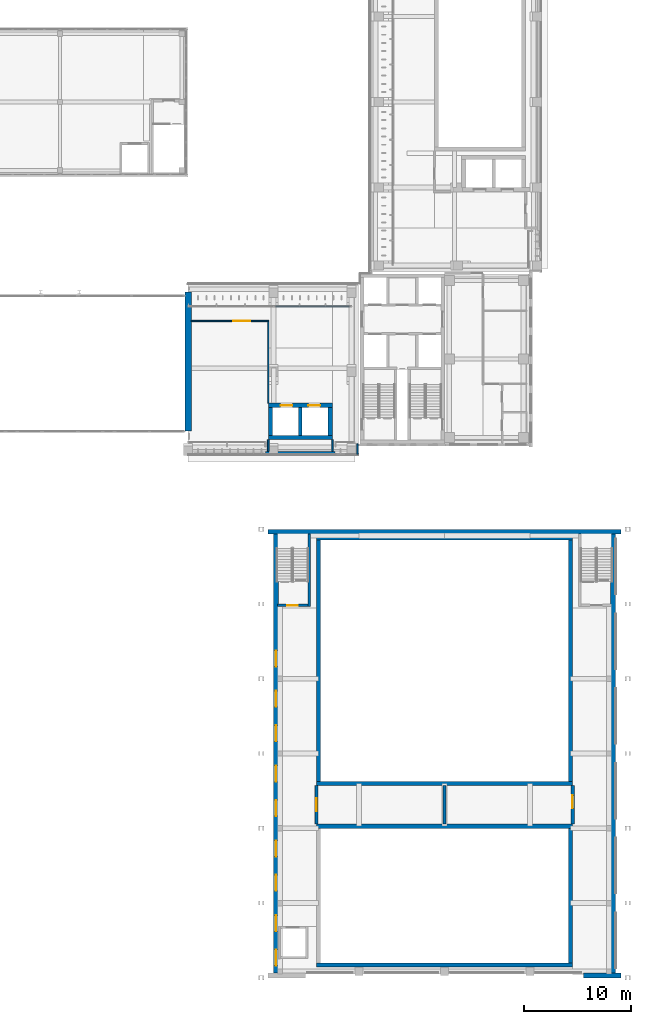
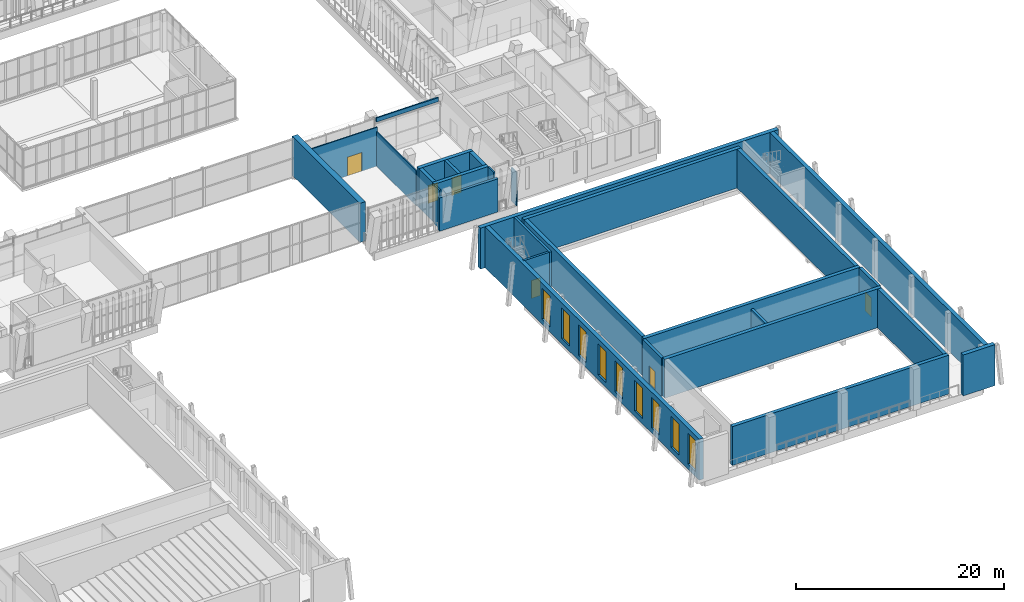
# One storey, part 61 of 92: 29 walls, 9 windows, 6 doors, 15 openings.
"""IFC4 building model written with IfcOpenShell, lengths in metres."""

from ifc_helpers import new_model, si_unit, direction, frame, frame_2d, origin, place, context, subcontext, project, spatial, rectangle, extrude, material, layer, layer_set, type_object, element, fill, save


model = new_model("IFC4")

# Units and contexts
model_context = context("Model", 3, precision=1e-05, world=origin(), true_north=direction((0.0, 1.0)))
body_context = subcontext(model_context, "Body", "Model", "MODEL_VIEW")
ifc_project = project(units=[si_unit("LENGTHUNIT", "METRE"), si_unit("AREAUNIT", "SQUARE_METRE"), si_unit("VOLUMEUNIT", "CUBIC_METRE"), si_unit("PLANEANGLEUNIT", "RADIAN"), si_unit("MASSUNIT", "GRAM", prefix="KILO")], contexts=[model_context])

# Site, building, storey
site_placement = place(None, origin())
site = spatial("IfcSite", under=ifc_project, at=site_placement, CompositionType="ELEMENT")
building_placement = place(site_placement, origin())
building = spatial("IfcBuilding", under=site, at=building_placement, Name="Lantern Court Media Centre", CompositionType="ELEMENT")
storey_placement = place(building_placement, frame((0.0, 0.0, 4.800048828125)))
storey = spatial("IfcBuildingStorey", under=building, at=storey_placement, Name="L01", CompositionType="ELEMENT", Elevation=4.800048828125)

# Wall
ifc_material_1 = material(Name="Gypsum board partition")
ifc_layer_1 = layer(ifc_material_1, 0.125)
ifc_layer_set_1 = layer_set([ifc_layer_1], Name="Gypsum board partition")
wall_type_1 = type_object("IfcWallType", Name="Corridor partition 125", PredefinedType="PARTITIONING", material=ifc_layer_set_1)
wall_1_placement = place(storey_placement, frame((71.5, 51.800048828125, 0.0), z_axis=(0.0, 0.0, 1.0), x_axis=(0.0, 1.0, 0.0)))
element("IfcWall", 1, at=wall_1_placement, inside=storey, type_object=wall_type_1, Name="L01 partition 007", PredefinedType="PARTITIONING", context=body_context, shape_type="SweptSolid", body=[
    extrude(rectangle(XDim=7.637451171875, YDim=0.125, at=frame_2d((3.81884765625, 0.0))), origin(), (0.0, 0.0, 1.0), 4.079833984375),
])

# Wall, opening, door
wall_2_placement = place(storey_placement, frame((64.304931640625, 59.5, 0.0), z_axis=(0.0, 0.0, 1.0), x_axis=(1.0, 0.0, 0.0)))
wall_2 = element("IfcWall", 2, at=wall_2_placement, inside=storey, type_object=wall_type_1, Name="L01 partition 009", PredefinedType="PARTITIONING", context=body_context, shape_type="SweptSolid", body=[
    extrude(rectangle(XDim=7.257568359375, YDim=0.125, at=frame_2d((3.62890625, 0.0))), origin(), (0.0, 0.0, 1.0), 4.56005859375),
])
opening_1_placement = place(wall_2_placement, frame((3.919921875, 0.0, 0.0)))
opening_1 = element("IfcOpeningElement", 3, at=opening_1_placement, cuts=wall_2, Name="Opening L01-002", PredefinedType="OPENING", context=body_context, shape_type="SweptSolid", body=[
    extrude(rectangle(XDim=1.60009765625, YDim=2.199951171875, at=frame_2d((0.800048828125, 1.10009765625))), frame((0.0, 0.072509765625, 0.0), z_axis=(0.0, -1.0, 0.0), x_axis=(1.0, 0.0, 0.0)), (0.0, 0.0, 1.0), 0.14501953125),
])
ifc_material_2 = material(Name="Solid-core timber door leaf", Category="wood")
door_type_1 = type_object("IfcDoorType", Name="Double door 1600x2200", OperationType="NOTDEFINED", PredefinedType="DOOR", material=ifc_material_2)
door_1_placement = place(opening_1_placement, frame((1.60009765625, 0.0, 0.0), z_axis=(0.0, 0.0, 1.0), x_axis=(-1.0, 0.0, 0.0)))
door_1 = element("IfcDoor", 4, at=door_1_placement, inside=storey, type_object=door_type_1, Name="L01 Exhibition Gallery door", OperationType="DOUBLE_DOOR_SINGLE_SWING", OverallHeight=2.199951171875, OverallWidth=1.60009765625, PredefinedType="DOOR", context=body_context, shape_type="SweptSolid", body=[
    extrude(rectangle(XDim=1.60009765625, YDim=2.199951171875, at=frame_2d((0.800048828125, 1.10009765625))), frame((0.0, 0.02490234375, 0.0), z_axis=(0.0, -1.0, 0.0), x_axis=(1.0, 0.0, 0.0)), (0.0, 0.0, 1.0), 0.050048828125),
])
fill(opening_1, door_1)

# Wall, openings, windows
ifc_material_3 = material(Name="Limestone masonry, insulated", Category="masonry")
ifc_layer_2 = layer(ifc_material_3, 0.449951171875)
ifc_layer_set_2 = layer_set([ifc_layer_2], Name="Limestone masonry, insulated")
wall_type_2 = type_object("IfcWallType", Name="Hall wall, stone-faced masonry 450", PredefinedType="SOLIDWALL", material=ifc_layer_set_2)
wall_3_placement = place(storey_placement, frame((72.22509765625, -1.550048828125, 0.0), z_axis=(0.0, 0.0, 1.0), x_axis=(0.0, 1.0, 0.0)))
wall_3 = element("IfcWall", 5, at=wall_3_placement, inside=storey, type_object=wall_type_2, Name="Studio Hall forecourt wall L01", PredefinedType="SOLIDWALL", context=body_context, shape_type="SweptSolid", body=[
    extrude(rectangle(XDim=41.10009765625, YDim=0.449951171875, at=frame_2d((20.550048828125, 0.0))), origin(), (0.0, 0.0, 1.0), 4.800048828125),
])
opening_2_placement = place(wall_3_placement, frame((0.68994140625, 0.0, 0.60009765625)))
opening_2 = element("IfcOpeningElement", 6, at=opening_2_placement, cuts=wall_3, Name="Opening HWN3", PredefinedType="OPENING", context=body_context, shape_type="SweptSolid", body=[
    extrude(rectangle(XDim=1.5, YDim=3.60009765625, at=frame_2d((0.75, 1.800048828125))), frame((0.0, 0.23486328125, 0.0), z_axis=(0.0, -1.0, 0.0), x_axis=(1.0, 0.0, 0.0)), (0.0, 0.0, 1.0), 0.469970703125),
])
opening_3_placement = place(wall_3_placement, frame((3.909912109375, 0.0, 0.60009765625)))
opening_3 = element("IfcOpeningElement", 7, at=opening_3_placement, cuts=wall_3, Name="Opening HWN3", PredefinedType="OPENING", context=body_context, shape_type="SweptSolid", body=[
    extrude(rectangle(XDim=1.5, YDim=3.60009765625, at=frame_2d((0.75, 1.800048828125))), frame((0.0, 0.23486328125, 0.0), z_axis=(0.0, -1.0, 0.0), x_axis=(1.0, 0.0, 0.0)), (0.0, 0.0, 1.0), 0.469970703125),
])
opening_4_placement = place(wall_3_placement, frame((7.68994140625, 0.0, 0.60009765625)))
opening_4 = element("IfcOpeningElement", 8, at=opening_4_placement, cuts=wall_3, Name="Opening HWN3", PredefinedType="OPENING", context=body_context, shape_type="SweptSolid", body=[
    extrude(rectangle(XDim=1.5, YDim=3.60009765625, at=frame_2d((0.75, 1.800048828125))), frame((0.0, 0.23486328125, 0.0), z_axis=(0.0, -1.0, 0.0), x_axis=(1.0, 0.0, 0.0)), (0.0, 0.0, 1.0), 0.469970703125),
])
opening_5_placement = place(wall_3_placement, frame((10.909912109375, 0.0, 0.60009765625)))
opening_5 = element("IfcOpeningElement", 9, at=opening_5_placement, cuts=wall_3, Name="Opening HWN3", PredefinedType="OPENING", context=body_context, shape_type="SweptSolid", body=[
    extrude(rectangle(XDim=1.5, YDim=3.60009765625, at=frame_2d((0.75, 1.800048828125))), frame((0.0, 0.23486328125, 0.0), z_axis=(0.0, -1.0, 0.0), x_axis=(1.0, 0.0, 0.0)), (0.0, 0.0, 1.0), 0.469970703125),
])
opening_6_placement = place(wall_3_placement, frame((14.68994140625, 0.0, 0.60009765625)))
opening_6 = element("IfcOpeningElement", 10, at=opening_6_placement, cuts=wall_3, Name="Opening HWN3", PredefinedType="OPENING", context=body_context, shape_type="SweptSolid", body=[
    extrude(rectangle(XDim=1.5, YDim=3.60009765625, at=frame_2d((0.75, 1.800048828125))), frame((0.0, 0.23486328125, 0.0), z_axis=(0.0, -1.0, 0.0), x_axis=(1.0, 0.0, 0.0)), (0.0, 0.0, 1.0), 0.469970703125),
])
opening_7_placement = place(wall_3_placement, frame((17.909912109375, 0.0, 0.60009765625)))
opening_7 = element("IfcOpeningElement", 11, at=opening_7_placement, cuts=wall_3, Name="Opening HWN3", PredefinedType="OPENING", context=body_context, shape_type="SweptSolid", body=[
    extrude(rectangle(XDim=1.5, YDim=3.60009765625, at=frame_2d((0.75, 1.800048828125))), frame((0.0, 0.23486328125, 0.0), z_axis=(0.0, -1.0, 0.0), x_axis=(1.0, 0.0, 0.0)), (0.0, 0.0, 1.0), 0.469970703125),
])
opening_8_placement = place(wall_3_placement, frame((21.68994140625, 0.0, 0.60009765625)))
opening_8 = element("IfcOpeningElement", 12, at=opening_8_placement, cuts=wall_3, Name="Opening HWN3", PredefinedType="OPENING", context=body_context, shape_type="SweptSolid", body=[
    extrude(rectangle(XDim=1.5, YDim=3.60009765625, at=frame_2d((0.75, 1.800048828125))), frame((0.0, 0.23486328125, 0.0), z_axis=(0.0, -1.0, 0.0), x_axis=(1.0, 0.0, 0.0)), (0.0, 0.0, 1.0), 0.469970703125),
])
opening_9_placement = place(wall_3_placement, frame((24.909912109375, 0.0, 0.60009765625)))
opening_9 = element("IfcOpeningElement", 13, at=opening_9_placement, cuts=wall_3, Name="Opening HWN3", PredefinedType="OPENING", context=body_context, shape_type="SweptSolid", body=[
    extrude(rectangle(XDim=1.5, YDim=3.60009765625, at=frame_2d((0.75, 1.800048828125))), frame((0.0, 0.23486328125, 0.0), z_axis=(0.0, -1.0, 0.0), x_axis=(1.0, 0.0, 0.0)), (0.0, 0.0, 1.0), 0.469970703125),
])
opening_10_placement = place(wall_3_placement, frame((28.68994140625, 0.0, 0.60009765625)))
opening_10 = element("IfcOpeningElement", 14, at=opening_10_placement, cuts=wall_3, Name="Opening HWN3", PredefinedType="OPENING", context=body_context, shape_type="SweptSolid", body=[
    extrude(rectangle(XDim=1.5, YDim=3.60009765625, at=frame_2d((0.75, 1.800048828125))), frame((0.0, 0.23486328125, 0.0), z_axis=(0.0, -1.0, 0.0), x_axis=(1.0, 0.0, 0.0)), (0.0, 0.0, 1.0), 0.469970703125),
])
ifc_material_4 = material(Name="Aluminium and acoustic laminated glass", Category="aluminium")
window_type = type_object("IfcWindowType", Name="Studio hall foyer window 1500 x 3600", PartitioningType="DOUBLE_PANEL_VERTICAL", PredefinedType="WINDOW", material=ifc_material_4)
window_1_placement = place(opening_2_placement, origin())
window_1 = element("IfcWindow", 15, at=window_1_placement, inside=storey, type_object=window_type, Name="Studio Hall foyer window 1", OverallHeight=3.60009765625, OverallWidth=1.5, PartitioningType="SINGLE_PANEL", PredefinedType="WINDOW", context=body_context, shape_type="SweptSolid", body=[
    extrude(rectangle(XDim=1.5, YDim=3.60009765625, at=frame_2d((0.75, 1.800048828125))), frame((0.0, 0.030029296875, 0.0), z_axis=(0.0, -1.0, 0.0), x_axis=(1.0, 0.0, 0.0)), (0.0, 0.0, 1.0), 0.06005859375),
])
fill(opening_2, window_1)
window_2_placement = place(opening_3_placement, origin())
window_2 = element("IfcWindow", 16, at=window_2_placement, inside=storey, type_object=window_type, Name="Studio Hall foyer window 1", OverallHeight=3.60009765625, OverallWidth=1.5, PartitioningType="SINGLE_PANEL", PredefinedType="WINDOW", context=body_context, shape_type="SweptSolid", body=[
    extrude(rectangle(XDim=1.5, YDim=3.60009765625, at=frame_2d((0.75, 1.800048828125))), frame((0.0, 0.030029296875, 0.0), z_axis=(0.0, -1.0, 0.0), x_axis=(1.0, 0.0, 0.0)), (0.0, 0.0, 1.0), 0.06005859375),
])
fill(opening_3, window_2)
window_3_placement = place(opening_4_placement, origin())
window_3 = element("IfcWindow", 17, at=window_3_placement, inside=storey, type_object=window_type, Name="Studio Hall foyer window 2", OverallHeight=3.60009765625, OverallWidth=1.5, PartitioningType="SINGLE_PANEL", PredefinedType="WINDOW", context=body_context, shape_type="SweptSolid", body=[
    extrude(rectangle(XDim=1.5, YDim=3.60009765625, at=frame_2d((0.75, 1.800048828125))), frame((0.0, 0.030029296875, 0.0), z_axis=(0.0, -1.0, 0.0), x_axis=(1.0, 0.0, 0.0)), (0.0, 0.0, 1.0), 0.06005859375),
])
fill(opening_4, window_3)
window_4_placement = place(opening_5_placement, origin())
window_4 = element("IfcWindow", 18, at=window_4_placement, inside=storey, type_object=window_type, Name="Studio Hall foyer window 2", OverallHeight=3.60009765625, OverallWidth=1.5, PartitioningType="SINGLE_PANEL", PredefinedType="WINDOW", context=body_context, shape_type="SweptSolid", body=[
    extrude(rectangle(XDim=1.5, YDim=3.60009765625, at=frame_2d((0.75, 1.800048828125))), frame((0.0, 0.030029296875, 0.0), z_axis=(0.0, -1.0, 0.0), x_axis=(1.0, 0.0, 0.0)), (0.0, 0.0, 1.0), 0.06005859375),
])
fill(opening_5, window_4)
window_5_placement = place(opening_6_placement, origin())
window_5 = element("IfcWindow", 19, at=window_5_placement, inside=storey, type_object=window_type, Name="Studio Hall foyer window 3", OverallHeight=3.60009765625, OverallWidth=1.5, PartitioningType="SINGLE_PANEL", PredefinedType="WINDOW", context=body_context, shape_type="SweptSolid", body=[
    extrude(rectangle(XDim=1.5, YDim=3.60009765625, at=frame_2d((0.75, 1.800048828125))), frame((0.0, 0.030029296875, 0.0), z_axis=(0.0, -1.0, 0.0), x_axis=(1.0, 0.0, 0.0)), (0.0, 0.0, 1.0), 0.06005859375),
])
fill(opening_6, window_5)
window_6_placement = place(opening_7_placement, origin())
window_6 = element("IfcWindow", 20, at=window_6_placement, inside=storey, type_object=window_type, Name="Studio Hall foyer window 3", OverallHeight=3.60009765625, OverallWidth=1.5, PartitioningType="SINGLE_PANEL", PredefinedType="WINDOW", context=body_context, shape_type="SweptSolid", body=[
    extrude(rectangle(XDim=1.5, YDim=3.60009765625, at=frame_2d((0.75, 1.800048828125))), frame((0.0, 0.030029296875, 0.0), z_axis=(0.0, -1.0, 0.0), x_axis=(1.0, 0.0, 0.0)), (0.0, 0.0, 1.0), 0.06005859375),
])
fill(opening_7, window_6)
window_7_placement = place(opening_8_placement, origin())
window_7 = element("IfcWindow", 21, at=window_7_placement, inside=storey, type_object=window_type, Name="Studio Hall foyer window 4", OverallHeight=3.60009765625, OverallWidth=1.5, PartitioningType="SINGLE_PANEL", PredefinedType="WINDOW", context=body_context, shape_type="SweptSolid", body=[
    extrude(rectangle(XDim=1.5, YDim=3.60009765625, at=frame_2d((0.75, 1.800048828125))), frame((0.0, 0.030029296875, 0.0), z_axis=(0.0, -1.0, 0.0), x_axis=(1.0, 0.0, 0.0)), (0.0, 0.0, 1.0), 0.06005859375),
])
fill(opening_8, window_7)
window_8_placement = place(opening_9_placement, origin())
window_8 = element("IfcWindow", 22, at=window_8_placement, inside=storey, type_object=window_type, Name="Studio Hall foyer window 4", OverallHeight=3.60009765625, OverallWidth=1.5, PartitioningType="SINGLE_PANEL", PredefinedType="WINDOW", context=body_context, shape_type="SweptSolid", body=[
    extrude(rectangle(XDim=1.5, YDim=3.60009765625, at=frame_2d((0.75, 1.800048828125))), frame((0.0, 0.030029296875, 0.0), z_axis=(0.0, -1.0, 0.0), x_axis=(1.0, 0.0, 0.0)), (0.0, 0.0, 1.0), 0.06005859375),
])
fill(opening_9, window_8)
window_9_placement = place(opening_10_placement, origin())
window_9 = element("IfcWindow", 23, at=window_9_placement, inside=storey, type_object=window_type, Name="Studio Hall foyer window 5", OverallHeight=3.60009765625, OverallWidth=1.5, PartitioningType="SINGLE_PANEL", PredefinedType="WINDOW", context=body_context, shape_type="SweptSolid", body=[
    extrude(rectangle(XDim=1.5, YDim=3.60009765625, at=frame_2d((0.75, 1.800048828125))), frame((0.0, 0.030029296875, 0.0), z_axis=(0.0, -1.0, 0.0), x_axis=(1.0, 0.0, 0.0)), (0.0, 0.0, 1.0), 0.06005859375),
])
fill(opening_10, window_9)

# Walls
wall_4_placement = place(storey_placement, frame((103.77490234375, -1.550048828125, 0.0), z_axis=(0.0, 0.0, 1.0), x_axis=(0.0, 1.0, 0.0)))
element("IfcWall", 24, at=wall_4_placement, inside=storey, type_object=wall_type_2, Name="Studio Hall street wall L01", PredefinedType="SOLIDWALL", context=body_context, shape_type="SweptSolid", body=[
    extrude(rectangle(XDim=41.10009765625, YDim=0.449951171875, at=frame_2d((20.550048828125, 0.0))), origin(), (0.0, 0.0, 1.0), 4.800048828125),
])
wall_5_placement = place(storey_placement, frame((101.0, -1.77490234375, 0.0), z_axis=(0.0, 0.0, 1.0), x_axis=(1.0, 0.0, 0.0)))
element("IfcWall", 25, at=wall_5_placement, inside=storey, type_object=wall_type_2, Name="Studio Hall south gable L01", PredefinedType="SOLIDWALL", context=body_context, shape_type="SweptSolid", body=[
    extrude(rectangle(XDim=3.527099609375, YDim=0.449951171875, at=frame_2d((1.763671875, 0.0))), origin(), (0.0, 0.0, 1.0), 4.800048828125),
])
wall_6_placement = place(storey_placement, frame((71.472900390625, 39.77490234375, 0.0), z_axis=(0.0, 0.0, 1.0), x_axis=(1.0, 0.0, 0.0)))
element("IfcWall", 26, at=wall_6_placement, inside=storey, type_object=wall_type_2, Name="Studio Hall north gable L01", PredefinedType="SOLIDWALL", context=body_context, shape_type="SweptSolid", body=[
    extrude(rectangle(XDim=33.05419921875, YDim=0.449951171875, at=frame_2d((16.527099609375, 0.0))), origin(), (0.0, 0.0, 1.0), 4.800048828125),
])
ifc_material_5 = material(Name="Insulated rendered blockwork", Category="masonry")
ifc_layer_3 = layer(ifc_material_5, 0.14990234375)
ifc_layer_set_3 = layer_set([ifc_layer_3], Name="Insulated rendered blockwork")
wall_type_3 = type_object("IfcWallType", Name="Head infill wall 150", PredefinedType="SOLIDWALL", material=ifc_layer_set_3)
wall_7_placement = place(storey_placement, frame((72.199951171875, 60.85009765625, 4.099853515625), z_axis=(0.0, 0.0, 1.0), x_axis=(1.0, 0.0, 0.0)))
element("IfcWall", 27, at=wall_7_placement, inside=storey, type_object=wall_type_3, Name="Head infill wall S inner L01", PredefinedType="SOLIDWALL", context=body_context, shape_type="SweptSolid", body=[
    extrude(rectangle(XDim=6.900146484375, YDim=0.14990234375, at=frame_2d((3.4501953125, 0.0))), origin(), (0.0, 0.0, 1.0), 0.47998046875),
])
ifc_material_6 = material(Name="Honed limestone cladding on blockwork", Category="masonry")
ifc_layer_4 = layer(ifc_material_6, 0.139892578125)
ifc_layer_set_4 = layer_set([ifc_layer_4], Name="Honed limestone cladding on blockwork")
wall_type_4 = type_object("IfcWallType", Name="Limestone closure wall 140", PredefinedType="SOLIDWALL", material=ifc_layer_set_4)
wall_8_placement = place(storey_placement, frame((79.830078125, 47.0, 0.0), z_axis=(0.0, 0.0, 1.0), x_axis=(0.0, 1.0, 0.0)))
element("IfcWall", 28, at=wall_8_placement, inside=storey, type_object=wall_type_4, Name="Limestone closure wall S-SE L01", PredefinedType="SOLIDWALL", context=body_context, shape_type="SweptSolid", body=[
    extrude(rectangle(XDim=1.0, YDim=0.139892578125, at=frame_2d((0.5, 0.0))), origin(), (0.0, 0.0, 1.0), 3.89990234375),
])
ifc_layer_5 = layer(ifc_material_6, 0.300048828125)
ifc_layer_set_5 = layer_set([ifc_layer_5], Name="Honed limestone cladding on blockwork")
wall_type_5 = type_object("IfcWallType", Name="Limestone flank wall 300", PredefinedType="SOLIDWALL", material=ifc_layer_set_5)
wall_9_placement = place(storey_placement, frame((71.25, 47.14990234375, 0.0), z_axis=(0.0, 0.0, 1.0), x_axis=(1.0, 0.0, 0.0)))
element("IfcWall", 29, at=wall_9_placement, inside=storey, type_object=wall_type_5, Name="Limestone flank wall S outer L01", PredefinedType="SOLIDWALL", context=body_context, shape_type="SweptSolid", body=[
    extrude(rectangle(XDim=6.5, YDim=0.300048828125, at=frame_2d((3.25, 0.0))), origin(), (0.0, 0.0, 1.0), 3.89990234375),
])
ifc_material_7 = material(Name="Concrete C40", Category="concrete")
ifc_layer_6 = layer(ifc_material_7, 0.300048828125)
ifc_layer_set_6 = layer_set([ifc_layer_6], Name="Concrete C40")
wall_type_6 = type_object("IfcWallType", Name="RC SHEAR WALL 300", PredefinedType="SHEAR", material=ifc_layer_set_6)
wall_10_placement = place(storey_placement, frame((74.5, 48.800048828125, 0.0), z_axis=(0.0, 0.0, 1.0), x_axis=(0.0, 1.0, 0.0)))
element("IfcWall", 30, at=wall_10_placement, inside=storey, type_object=wall_type_6, Name="WB-S-LC2-L01-D", PredefinedType="SHEAR", context=body_context, shape_type="SweptSolid", body=[
    extrude(rectangle(XDim=2.599853515625, YDim=0.300048828125, at=frame_2d((1.2998046875, 0.0))), origin(), (0.0, 0.0, 1.0), 4.579833984375),
])
ifc_layer_7 = layer(ifc_material_7, 0.39990234375)
ifc_layer_set_7 = layer_set([ifc_layer_7], Name="Concrete C40")
wall_type_7 = type_object("IfcWallType", Name="RC SHEAR WALL 400", PredefinedType="SHEAR", material=ifc_layer_set_7)
wall_11_placement = place(storey_placement, frame((71.5, 48.60009765625, 0.0), z_axis=(0.0, 0.0, 1.0), x_axis=(1.0, 0.0, 0.0)))
element("IfcWall", 31, at=wall_11_placement, inside=storey, type_object=wall_type_7, Name="WB-S-LC2-L01-S", PredefinedType="SHEAR", context=body_context, shape_type="SweptSolid", body=[
    extrude(rectangle(XDim=6.0, YDim=0.39990234375, at=frame_2d((3.0, 0.0))), origin(), (0.0, 0.0, 1.0), 4.579833984375),
])

# Wall, openings, doors
wall_12_placement = place(storey_placement, frame((71.5, 51.60009765625, 0.0), z_axis=(0.0, 0.0, 1.0), x_axis=(1.0, 0.0, 0.0)))
wall_12 = element("IfcWall", 32, at=wall_12_placement, inside=storey, type_object=wall_type_7, Name="WB-S-LC2-L01-N", PredefinedType="SHEAR", context=body_context, shape_type="SweptSolid", body=[
    extrude(rectangle(XDim=6.0, YDim=0.39990234375, at=frame_2d((3.0, 0.0))), origin(), (0.0, 0.0, 1.0), 4.579833984375),
])
opening_11_placement = place(wall_12_placement, frame((1.14990234375, 0.0, 0.0)))
opening_11 = element("IfcOpeningElement", 33, at=opening_11_placement, cuts=wall_12, Name="Opening LD-S-LC2P-L01", PredefinedType="OPENING", context=body_context, shape_type="SweptSolid", body=[
    extrude(rectangle(XDim=1.10009765625, YDim=2.10009765625, at=frame_2d((0.550048828125, 1.050048828125))), frame((0.0, 0.2099609375, 0.0), z_axis=(0.0, -1.0, 0.0), x_axis=(1.0, 0.0, 0.0)), (0.0, 0.0, 1.0), 0.419921875),
])
opening_12_placement = place(wall_12_placement, frame((3.75, 0.0, 0.0)))
opening_12 = element("IfcOpeningElement", 34, at=opening_12_placement, cuts=wall_12, Name="Opening LD-S-LC2S-L01", PredefinedType="OPENING", context=body_context, shape_type="SweptSolid", body=[
    extrude(rectangle(XDim=1.10009765625, YDim=2.10009765625, at=frame_2d((0.550048828125, 1.050048828125))), frame((0.0, 0.2099609375, 0.0), z_axis=(0.0, -1.0, 0.0), x_axis=(1.0, 0.0, 0.0)), (0.0, 0.0, 1.0), 0.419921875),
])
ifc_material_8 = material(Name="Steel door leaf", Category="steel")
door_type_2 = type_object("IfcDoorType", Name="Lift landing door 1100x2100", OperationType="DOUBLE_DOOR_SLIDING", PredefinedType="DOOR", material=ifc_material_8)
door_2_placement = place(opening_11_placement, origin())
door_2 = element("IfcDoor", 35, at=door_2_placement, inside=storey, type_object=door_type_2, Name="L01 S-LC2 passenger lift landing door", OperationType="DOUBLE_DOOR_SLIDING", OverallHeight=2.10009765625, OverallWidth=1.10009765625, PredefinedType="DOOR", context=body_context, shape_type="SweptSolid", body=[
    extrude(rectangle(XDim=1.10009765625, YDim=2.10009765625, at=frame_2d((0.550048828125, 1.050048828125))), frame((0.0, 0.02490234375, 0.0), z_axis=(0.0, -1.0, 0.0), x_axis=(1.0, 0.0, 0.0)), (0.0, 0.0, 1.0), 0.050048828125),
])
fill(opening_11, door_2)
door_3_placement = place(opening_12_placement, origin())
door_3 = element("IfcDoor", 36, at=door_3_placement, inside=storey, type_object=door_type_2, Name="L01 S-LC2 service lift landing door", OperationType="DOUBLE_DOOR_SLIDING", OverallHeight=2.10009765625, OverallWidth=1.10009765625, PredefinedType="DOOR", context=body_context, shape_type="SweptSolid", body=[
    extrude(rectangle(XDim=1.10009765625, YDim=2.10009765625, at=frame_2d((0.550048828125, 1.050048828125))), frame((0.0, 0.02490234375, 0.0), z_axis=(0.0, -1.0, 0.0), x_axis=(1.0, 0.0, 0.0)), (0.0, 0.0, 1.0), 0.050048828125),
])
fill(opening_12, door_3)

# Walls
for number, where, z_axis, x_axis, name in (
    (37, (71.699951171875, 48.800048828125, 0.0), (0.0, 0.0, 1.0), (0.0, 1.0, 0.0), "WB-S-LC2-L01-W"),
    (38, (77.300048828125, 48.800048828125, 0.0), (0.0, 0.0, 1.0), (0.0, 1.0, 0.0), "WB-S-LC2-L01-E"),
):
    element("IfcWall", number, at=place(storey_placement, frame(where, z_axis=z_axis, x_axis=x_axis)), inside=storey, type_object=wall_type_7, Name=name, PredefinedType="SHEAR", context=body_context, shape_type="SweptSolid", body=[
        extrude(rectangle(XDim=2.599853515625, YDim=0.39990234375, at=frame_2d((1.2998046875, 0.0))), origin(), (0.0, 0.0, 1.0), 4.579833984375),
    ])
for number, where, z_axis, x_axis, name in (
    (39, (76.0, 16.199951171875, 0.0), (0.0, 0.0, 1.0), (1.0, 0.0, 0.0), "WB-V2-STA-L01-S"),
    (40, (76.0, 39.199951171875, 0.0), (0.0, 0.0, 1.0), (1.0, 0.0, 0.0), "WB-V2-STA-L01-N"),
):
    element("IfcWall", number, at=place(storey_placement, frame(where, z_axis=z_axis, x_axis=x_axis)), inside=storey, type_object=wall_type_7, Name=name, PredefinedType="SHEAR", context=body_context, shape_type="SweptSolid", body=[
        extrude(rectangle(XDim=24.0, YDim=0.39990234375, at=frame_2d((12.0, 0.0))), origin(), (0.0, 0.0, 1.0), 4.550048828125),
    ])
for number, where, z_axis, x_axis, name in (
    (41, (76.199951171875, 16.39990234375, 0.0), (0.0, 0.0, 1.0), (0.0, 1.0, 0.0), "WB-V2-STA-L01-W"),
    (42, (99.800048828125, 16.39990234375, 0.0), (0.0, 0.0, 1.0), (0.0, 1.0, 0.0), "WB-V2-STA-L01-E"),
):
    element("IfcWall", number, at=place(storey_placement, frame(where, z_axis=z_axis, x_axis=x_axis)), inside=storey, type_object=wall_type_7, Name=name, PredefinedType="SHEAR", context=body_context, shape_type="SweptSolid", body=[
        extrude(rectangle(XDim=22.60009765625, YDim=0.39990234375, at=frame_2d((11.300048828125, 0.0))), origin(), (0.0, 0.0, 1.0), 4.550048828125),
    ])
for number, where, z_axis, x_axis, name in (
    (43, (76.0, -0.800048828125, 0.0), (0.0, 0.0, 1.0), (1.0, 0.0, 0.0), "WB-V2-STB-L01-S"),
    (44, (76.0, 12.199951171875, 0.0), (0.0, 0.0, 1.0), (1.0, 0.0, 0.0), "WB-V2-STB-L01-N"),
):
    element("IfcWall", number, at=place(storey_placement, frame(where, z_axis=z_axis, x_axis=x_axis)), inside=storey, type_object=wall_type_7, Name=name, PredefinedType="SHEAR", context=body_context, shape_type="SweptSolid", body=[
        extrude(rectangle(XDim=24.0, YDim=0.39990234375, at=frame_2d((12.0, 0.0))), origin(), (0.0, 0.0, 1.0), 4.550048828125),
    ])
wall_13_placement = place(storey_placement, frame((99.800048828125, -0.60009765625, 0.0), z_axis=(0.0, 0.0, 1.0), x_axis=(0.0, 1.0, 0.0)))
element("IfcWall", 45, at=wall_13_placement, inside=storey, type_object=wall_type_7, Name="WB-V2-STB-L01-E", PredefinedType="SHEAR", context=body_context, shape_type="SweptSolid", body=[
    extrude(rectangle(XDim=12.60009765625, YDim=0.39990234375, at=frame_2d((6.300048828125, 0.0))), origin(), (0.0, 0.0, 1.0), 4.550048828125),
])
ifc_layer_8 = layer(ifc_material_7, 0.60009765625)
ifc_layer_set_8 = layer_set([ifc_layer_8], Name="Concrete C40")
wall_type_8 = type_object("IfcWallType", Name="RC SHEAR WALL 600", PredefinedType="SHEAR", material=ifc_layer_set_8)
wall_14_placement = place(storey_placement, frame((64.0, 49.199951171875, 0.0), z_axis=(0.0, 0.0, 1.0), x_axis=(0.0, 1.0, 0.0)))
element("IfcWall", 46, at=wall_14_placement, inside=storey, type_object=wall_type_8, Name="WF-S-64-L01-W", PredefinedType="SHEAR", context=body_context, shape_type="SweptSolid", body=[
    extrude(rectangle(XDim=13.0, YDim=0.60009765625, at=frame_2d((6.5, 0.0))), origin(), (0.0, 0.0, 1.0), 4.579833984375),
])
ifc_layer_9 = layer(ifc_material_7, 0.25)
ifc_layer_set_9 = layer_set([ifc_layer_9], Name="Concrete C40")
wall_type_9 = type_object("IfcWallType", Name="RC stair shaft wall 250", PredefinedType="SOLIDWALL", material=ifc_layer_set_9)
wall_15_placement = place(storey_placement, frame((75.324951171875, 32.75, 0.0), z_axis=(0.0, 0.0, 1.0), x_axis=(0.0, 1.0, 0.0)))
element("IfcWall", 47, at=wall_15_placement, inside=storey, type_object=wall_type_9, Name="L01 V2-ST-W shaft wall E", PredefinedType="SOLIDWALL", context=body_context, shape_type="SweptSolid", body=[
    extrude(rectangle(XDim=6.800048828125, YDim=0.25, at=frame_2d((3.39990234375, 0.0))), origin(), (0.0, 0.0, 1.0), 4.800048828125),
])

# Wall, opening, door
wall_16_placement = place(storey_placement, frame((72.35009765625, 32.875, 0.0), z_axis=(0.0, 0.0, 1.0), x_axis=(1.0, 0.0, 0.0)))
wall_16 = element("IfcWall", 48, at=wall_16_placement, inside=storey, type_object=wall_type_9, Name="L01 V2-ST-W shaft wall S", PredefinedType="SOLIDWALL", context=body_context, shape_type="SweptSolid", body=[
    extrude(rectangle(XDim=2.849853515625, YDim=0.25, at=frame_2d((1.4248046875, 0.0))), origin(), (0.0, 0.0, 1.0), 4.800048828125),
])
opening_13_placement = place(wall_16_placement, frame((0.925048828125, 0.0, 0.0)))
opening_13 = element("IfcOpeningElement", 49, at=opening_13_placement, cuts=wall_16, Name="Opening V2-ST-W-L01-01", PredefinedType="OPENING", context=body_context, shape_type="SweptSolid", body=[
    extrude(rectangle(XDim=1.0, YDim=2.10009765625, at=frame_2d((0.5, 1.050048828125))), frame((0.0, 0.135009765625, 0.0), z_axis=(0.0, -1.0, 0.0), x_axis=(1.0, 0.0, 0.0)), (0.0, 0.0, 1.0), 0.27001953125),
])
door_type_3 = type_object("IfcDoorType", Name="Stair door 1000x2100", OperationType="NOTDEFINED", PredefinedType="DOOR", material=ifc_material_8)
door_4_placement = place(opening_13_placement, frame((1.0, 0.0, 0.0), z_axis=(0.0, 0.0, 1.0), x_axis=(-1.0, 0.0, 0.0)))
door_4 = element("IfcDoor", 50, at=door_4_placement, inside=storey, type_object=door_type_3, Name="L01 V2-ST-W stair door", OperationType="SINGLE_SWING_LEFT", OverallHeight=2.10009765625, OverallWidth=1.0, PredefinedType="DOOR", context=body_context, shape_type="SweptSolid", body=[
    extrude(rectangle(XDim=1.0, YDim=2.10009765625, at=frame_2d((0.5, 1.050048828125))), frame((0.0, 0.02490234375, 0.0), z_axis=(0.0, -1.0, 0.0), x_axis=(1.0, 0.0, 0.0)), (0.0, 0.0, 1.0), 0.050048828125),
])
fill(opening_13, door_4)

ifc_material_9 = material(Name="Acoustic gypsum board")
ifc_layer_10 = layer(ifc_material_9, 0.300048828125)
ifc_layer_set_10 = layer_set([ifc_layer_10], Name="Acoustic gypsum board")
wall_type_10 = type_object("IfcWallType", Name="Recording studio acoustic partition 300", PredefinedType="PARTITIONING", material=ifc_layer_set_10)
wall_17_placement = place(storey_placement, frame((76.0, 12.39990234375, 0.0), z_axis=(0.0, 0.0, 1.0), x_axis=(0.0, 1.0, 0.0)))
wall_17 = element("IfcWall", 51, at=wall_17_placement, inside=storey, type_object=wall_type_10, Name="L01 partition 065", PredefinedType="PARTITIONING", context=body_context, shape_type="SweptSolid", body=[
    extrude(rectangle(XDim=3.60009765625, YDim=0.300048828125, at=frame_2d((1.800048828125, 0.0))), origin(), (0.0, 0.0, 1.0), 4.530029296875),
])
opening_14_placement = place(wall_17_placement, frame((1.199951171875, 0.0, 0.0)))
opening_14 = element("IfcOpeningElement", 52, at=opening_14_placement, cuts=wall_17, Name="Opening L01-040", PredefinedType="OPENING", context=body_context, shape_type="SweptSolid", body=[
    extrude(rectangle(XDim=1.199951171875, YDim=2.199951171875, at=frame_2d((0.60009765625, 1.10009765625))), frame((0.0, 0.159912109375, 0.0), z_axis=(0.0, -1.0, 0.0), x_axis=(1.0, 0.0, 0.0)), (0.0, 0.0, 1.0), 0.320068359375),
])
ifc_material_10 = material(Name="Acoustic timber door leaf", Category="wood")
door_type_4 = type_object("IfcDoorType", Name="Control room sound-lock door 1200x2200", OperationType="NOTDEFINED", PredefinedType="DOOR", material=ifc_material_10)
door_5_placement = place(opening_14_placement, frame((1.199951171875, 0.0, 0.0), z_axis=(0.0, 0.0, 1.0), x_axis=(-1.0, 0.0, 0.0)))
door_5 = element("IfcDoor", 53, at=door_5_placement, inside=storey, type_object=door_type_4, Name="L01 Studio Control Room 05 door", OperationType="SINGLE_SWING_LEFT", OverallHeight=2.199951171875, OverallWidth=1.199951171875, PredefinedType="DOOR", context=body_context, shape_type="SweptSolid", body=[
    extrude(rectangle(XDim=1.199951171875, YDim=2.199951171875, at=frame_2d((0.60009765625, 1.10009765625))), frame((0.0, 0.02490234375, 0.0), z_axis=(0.0, -1.0, 0.0), x_axis=(1.0, 0.0, 0.0)), (0.0, 0.0, 1.0), 0.050048828125),
])
fill(opening_14, door_5)

wall_18_placement = place(storey_placement, frame((100.0, 12.39990234375, 0.0), z_axis=(0.0, 0.0, 1.0), x_axis=(0.0, 1.0, 0.0)))
wall_18 = element("IfcWall", 54, at=wall_18_placement, inside=storey, type_object=wall_type_10, Name="L01 partition 066", PredefinedType="PARTITIONING", context=body_context, shape_type="SweptSolid", body=[
    extrude(rectangle(XDim=3.60009765625, YDim=0.300048828125, at=frame_2d((1.800048828125, 0.0))), origin(), (0.0, 0.0, 1.0), 4.530029296875),
])
opening_15_placement = place(wall_18_placement, frame((1.47509765625, 0.0, 0.0)))
opening_15 = element("IfcOpeningElement", 55, at=opening_15_placement, cuts=wall_18, Name="Opening L01-041", PredefinedType="OPENING", context=body_context, shape_type="SweptSolid", body=[
    extrude(rectangle(XDim=1.199951171875, YDim=2.199951171875, at=frame_2d((0.60009765625, 1.10009765625))), frame((0.0, 0.159912109375, 0.0), z_axis=(0.0, -1.0, 0.0), x_axis=(1.0, 0.0, 0.0)), (0.0, 0.0, 1.0), 0.320068359375),
])
door_6_placement = place(opening_15_placement, origin())
door_6 = element("IfcDoor", 56, at=door_6_placement, inside=storey, type_object=door_type_4, Name="L01 Studio Control Room 06 door", OperationType="SINGLE_SWING_RIGHT", OverallHeight=2.199951171875, OverallWidth=1.199951171875, PredefinedType="DOOR", context=body_context, shape_type="SweptSolid", body=[
    extrude(rectangle(XDim=1.199951171875, YDim=2.199951171875, at=frame_2d((0.60009765625, 1.10009765625))), frame((0.0, 0.02490234375, 0.0), z_axis=(0.0, -1.0, 0.0), x_axis=(1.0, 0.0, 0.0)), (0.0, 0.0, 1.0), 0.050048828125),
])
fill(opening_15, door_6)

# Walls
wall_19_placement = place(storey_placement, frame((88.0, 12.39990234375, 0.0), z_axis=(0.0, 0.0, 1.0), x_axis=(0.0, 1.0, 0.0)))
element("IfcWall", 57, at=wall_19_placement, inside=storey, type_object=wall_type_10, Name="L01 partition 067", PredefinedType="PARTITIONING", context=body_context, shape_type="SweptSolid", body=[
    extrude(rectangle(XDim=3.60009765625, YDim=0.300048828125, at=frame_2d((1.800048828125, 0.0))), origin(), (0.0, 0.0, 1.0), 3.8798828125),
])
ifc_material_11 = material(Name="Fire-rated gypsum board")
ifc_layer_11 = layer(ifc_material_11, 0.159912109375)
ifc_layer_set_11 = layer_set([ifc_layer_11], Name="Fire-rated gypsum board")
wall_type_11 = type_object("IfcWallType", Name="Riser shaft liner wall 160", PredefinedType="PARTITIONING", material=ifc_layer_set_11)
for number, where, z_axis, x_axis, name in (
    (58, (77.5, 47.300048828125, 0.0), (0.0, 0.0, 1.0), (0.0, 1.0, 0.0), "L01 partition 002"),
    (59, (71.5, 47.300048828125, 0.0), (0.0, 0.0, 1.0), (0.0, 1.0, 0.0), "L01 partition 006"),
):
    element("IfcWall", number, at=place(storey_placement, frame(where, z_axis=z_axis, x_axis=x_axis)), inside=storey, type_object=wall_type_11, Name=name, PredefinedType="PARTITIONING", context=body_context, shape_type="SweptSolid", body=[
        extrude(rectangle(XDim=1.099853515625, YDim=0.159912109375, at=frame_2d((0.5498046875, 0.0))), origin(), (0.0, 0.0, 1.0), 4.56005859375),
    ])

save(model, "model.ifc")
